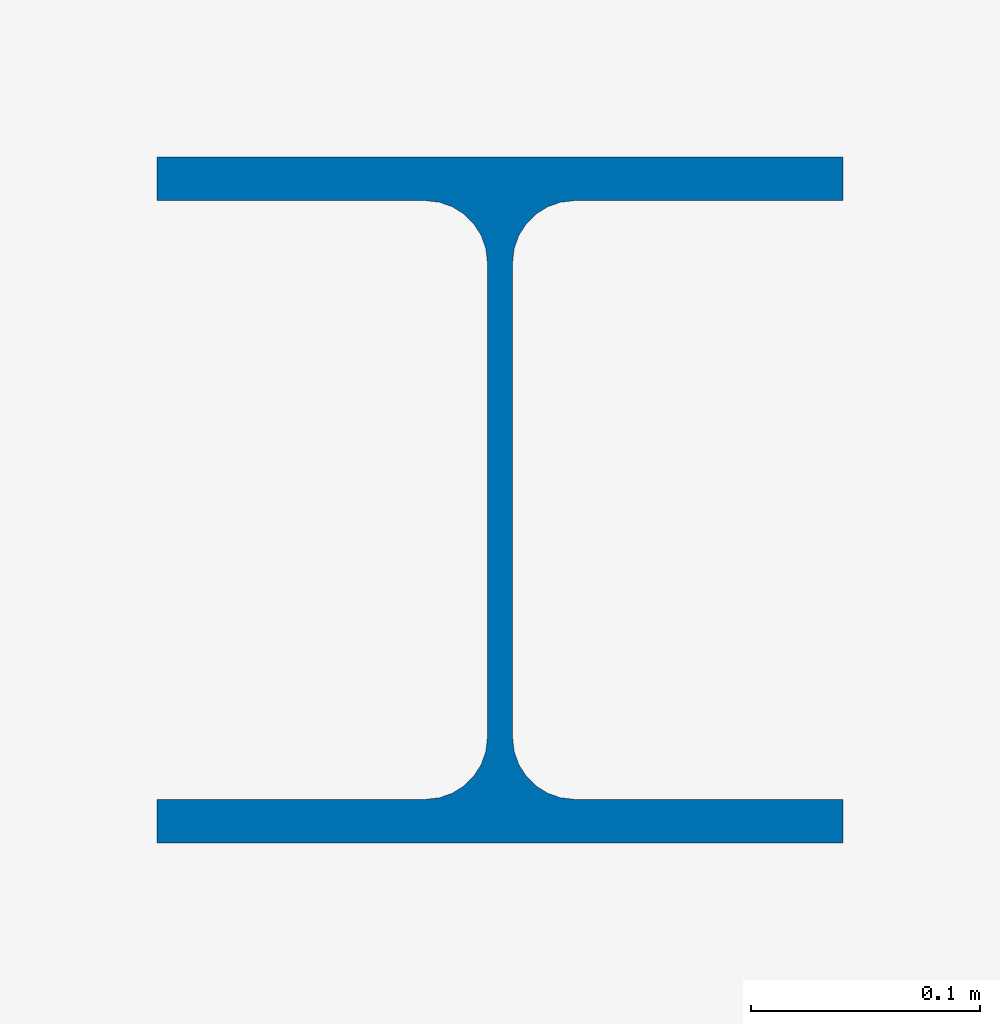
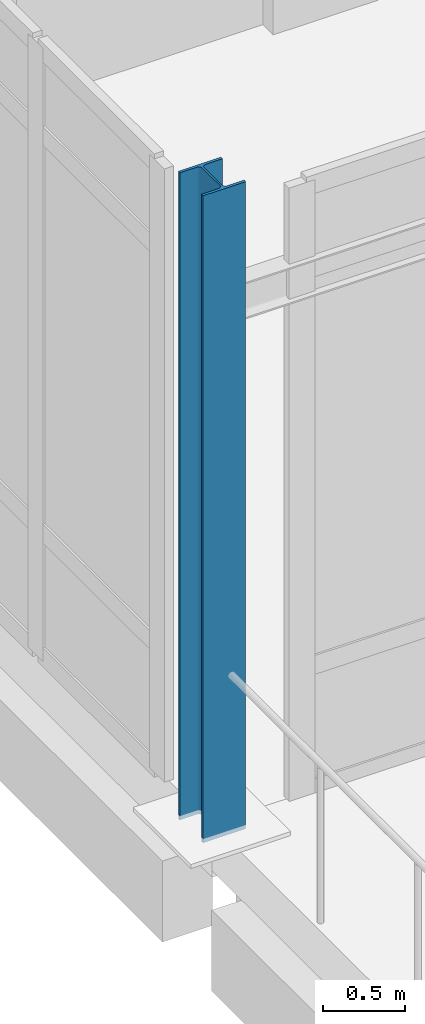
# One storey, part 2 of 59: 1 column.
"""IFC4 building model written with IfcOpenShell, lengths in metres."""

from ifc_helpers import new_model, si_unit, direction, frame, origin, origin_2d, place, context, subcontext, project, spatial, i_section, extrude, material, material_profile, profile_set, type_object, element, save


model = new_model("IFC4")

# Units and contexts
model_context = context("Model", 3, precision=1e-05, world=origin(), true_north=direction((0.0, 1.0)))
body_context = subcontext(model_context, "Body", "Model", "MODEL_VIEW")
ifc_project = project(units=[si_unit("LENGTHUNIT", "METRE"), si_unit("AREAUNIT", "SQUARE_METRE"), si_unit("VOLUMEUNIT", "CUBIC_METRE"), si_unit("PLANEANGLEUNIT", "RADIAN"), si_unit("MASSUNIT", "GRAM", prefix="KILO")], contexts=[model_context])

# Site, building, storey
site_placement = place(None, origin())
site = spatial("IfcSite", under=ifc_project, at=site_placement, CompositionType="ELEMENT")
building_placement = place(site_placement, origin())
building = spatial("IfcBuilding", under=site, at=building_placement, Name="Valkovuoma Quantum and Materials Research Institute", CompositionType="ELEMENT")
storey_placement = place(building_placement, origin())
storey = spatial("IfcBuildingStorey", under=building, at=storey_placement, Name="L00", CompositionType="ELEMENT", Elevation=0.0)

# Column
ifc_material = material(Name="Steel S355J2", Category="steel")
ifc_material_profile = material_profile(ifc_material, i_section(OverallWidth=0.300048828125, OverallDepth=0.300048828125, WebThickness=0.010986328125, FlangeThickness=0.01904296875, FilletRadius=0.027099609375, at=origin_2d()), Name="Steel S355J2")
ifc_profile_set = profile_set([ifc_material_profile], Name="Steel S355J2")
column_type = type_object("IfcColumnType", Name="Col-C-STL300", PredefinedType="COLUMN", material=ifc_profile_set)
column_placement = place(storey_placement, frame((57.60009765625, 28.800048828125, 0.0), z_axis=(0.0, 0.0, 1.0), x_axis=(1.0, 0.0, 0.0)))
element("IfcColumn", 1, at=column_placement, inside=storey, type_object=column_type, Name="L00 column 09E", PredefinedType="COLUMN", context=body_context, shape_type="SweptSolid", body=[
    extrude(i_section(OverallWidth=0.300048828125, OverallDepth=0.300048828125, WebThickness=0.010986328125, FlangeThickness=0.01904296875, FilletRadius=0.027099609375, at=origin_2d()), origin(), (0.0, 0.0, 1.0), 4.800048828125),
])

save(model, "model.ifc")
